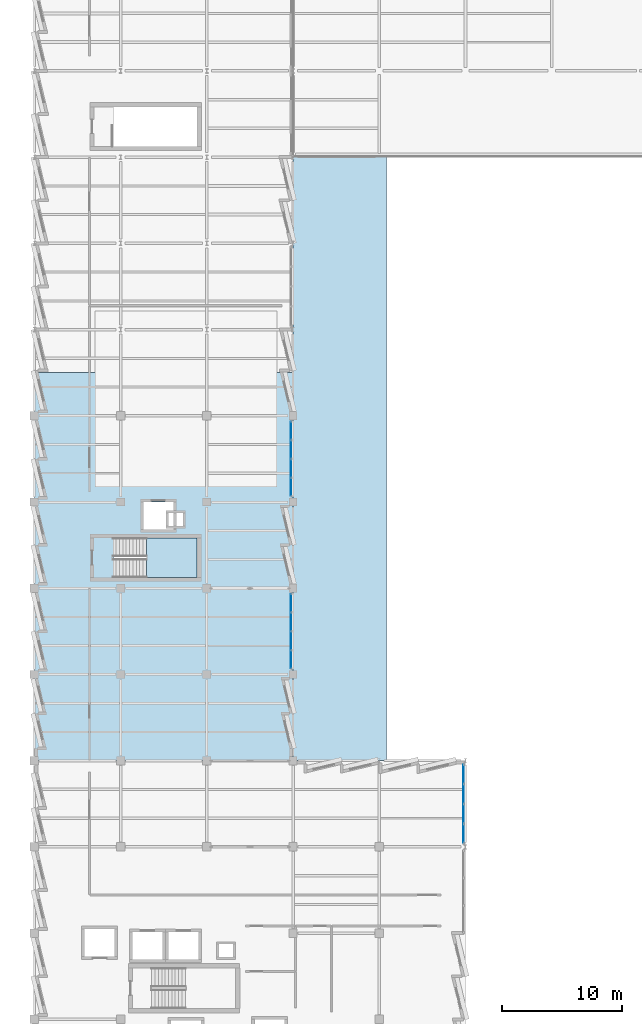
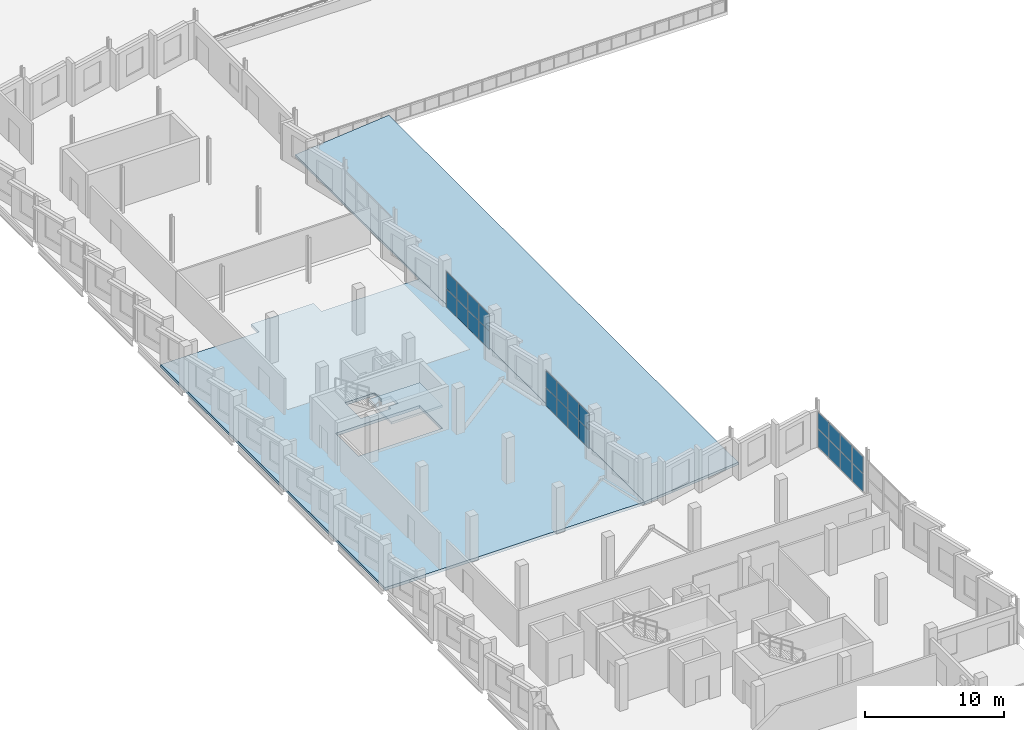
# One storey, part 23 of 38: 24 plates, 3 slabs, 4 elements without a shape of their own.
"""IFC4 building model written with IfcOpenShell, lengths in metres."""

from ifc_helpers import new_model, si_unit, direction, frame, origin, origin_2d, place, context, subcontext, project, spatial, polyline, rectangle, outline, extrude, material, layer, layer_set, type_object, element, aggregate, save


model = new_model("IFC4")

# Units and contexts
model_context = context("Model", 3, precision=1e-05, world=origin(), true_north=direction((0.0, 1.0)))
body_context = subcontext(model_context, "Body", "Model", "MODEL_VIEW")
ifc_project = project(units=[si_unit("LENGTHUNIT", "METRE"), si_unit("AREAUNIT", "SQUARE_METRE"), si_unit("VOLUMEUNIT", "CUBIC_METRE"), si_unit("PLANEANGLEUNIT", "RADIAN"), si_unit("MASSUNIT", "GRAM", prefix="KILO")], contexts=[model_context])

# Site, building, storey
site_placement = place(None, origin())
site = spatial("IfcSite", under=ifc_project, at=site_placement, CompositionType="ELEMENT")
building_placement = place(site_placement, origin())
building = spatial("IfcBuilding", under=site, at=building_placement, Name="Kalmorath City Hall", CompositionType="ELEMENT")
storey_placement = place(building_placement, frame((0.0, 0.0, 18.89990234375)))
storey = spatial("IfcBuildingStorey", under=building, at=storey_placement, Name="L04", CompositionType="ELEMENT", Elevation=18.89990234375)

# Slabs
ifc_material_1 = material(Name="Concrete C40/50", Category="concrete")
ifc_layer_1 = layer(ifc_material_1, 0.25)
ifc_layer_set_1 = layer_set([ifc_layer_1], Name="Concrete C40/50")
slab_type_1 = type_object("IfcSlabType", Name="Concrete municipal wing floor slab 250", PredefinedType="FLOOR", material=ifc_layer_set_1)
slab_1_placement = place(storey_placement, frame((0.0, 0.0, -0.25)))
element("IfcSlab", 1, at=slab_1_placement, inside=storey, type_object=slab_type_1, Name="L04 West Sawtooth Wing and Civic Storm Arcade slab FS5-1", PredefinedType="FLOOR", context=body_context, shape_type="SweptSolid", body=[
    extrude(outline(polyline([(8.199951171875, 68.39990234375), (8.199951171875, 69.550048828125), (13.39990234375, 69.550048828125), (13.39990234375, 68.39990234375), (21.60009765625, 68.39990234375), (21.60009765625, 36.0), (0.0, 36.0), (0.0, 68.39990234375), (8.199951171875, 68.39990234375)]), holes=[polyline([(13.60009765625, 54.60009765625), (6.590087890625, 54.60009765625), (6.590087890625, 51.300048828125), (13.60009765625, 51.300048828125), (13.60009765625, 54.60009765625)]), polyline([(11.60009765625, 55.300048828125), (11.60009765625, 55.60009765625), (12.39990234375, 55.60009765625), (12.39990234375, 56.679931640625), (11.60009765625, 56.679931640625), (11.60009765625, 57.60009765625), (9.10009765625, 57.60009765625), (9.10009765625, 55.300048828125), (11.60009765625, 55.300048828125)])]), origin(), (0.0, 0.0, 1.0), 0.25),
])
ifc_material_2 = material(Name="Concrete C40/50", Category="concrete")
ifc_layer_2 = layer(ifc_material_2, 0.219970703125)
ifc_layer_set_2 = layer_set([ifc_layer_2], Name="Concrete C40/50")
slab_type_2 = type_object("IfcSlabType", Name="Concrete sloped hurricane roof slab 220", PredefinedType="ROOF", material=ifc_layer_set_2)
slab_2_placement = place(storey_placement, frame((21.60009765625, 36.0, 0.0), z_axis=(-0.095714781392, 0.0, 0.995408800756), x_axis=(0.995408800756, 0.0, 0.095714781392)))
element("IfcSlab", 2, at=slab_2_placement, inside=storey, type_object=slab_type_2, Name="West Wing L04 courtyard eave roof", PredefinedType="ROOF", context=body_context, shape_type="SweptSolid", body=[
    extrude(outline(polyline([(0.0, 0.0), (7.835780316161689, 0.0), (7.835780316161689, 50.39990234375), (0.0, 50.39990234375), (0.0, 0.0)])), origin(), (0.0, 0.0, -1.0), 0.219970703125),
])

# Stair, slab
ifc_material_3 = material(Name="Concrete C40/50", Category="concrete")
stair_type = type_object("IfcStairType", Name="Dogleg concrete exit stair 22R x 184mm W1550", PredefinedType="HALF_TURN_STAIR", material=ifc_material_3)
stair_placement = place(storey_placement, origin())
stair = element("IfcStair", 3, at=stair_placement, inside=storey, type_object=stair_type, Name="L04 Protected exit stair ST-3", PredefinedType="HALF_TURN_STAIR")
ifc_material_4 = material(Name="Concrete C40/50", Category="concrete")
ifc_layer_3 = layer(ifc_material_4, 0.199951171875)
ifc_layer_set_3 = layer_set([ifc_layer_3], Name="Concrete C40/50")
slab_type_3 = type_object("IfcSlabType", Name="Concrete stair half-landing slab 200", PredefinedType="LANDING", material=ifc_layer_set_3)
slab_3_placement = place(storey_placement, frame((0.0, 0.0, 1.8251953125)))
slab_3 = element("IfcSlab", 4, at=slab_3_placement, type_object=slab_type_3, Name="ST-3 landing 1", PredefinedType="LANDING", context=body_context, shape_type="SweptSolid", body=[
    extrude(outline(polyline([(9.35009765625, 51.300048828125), (13.60009765625, 51.300048828125), (13.60009765625, 54.60009765625), (9.35009765625, 54.60009765625), (9.35009765625, 51.300048828125)])), origin(), (0.0, 0.0, 1.0), 0.199951171875),
])
aggregate(stair, [slab_3])

# Curtain wall, plates
ifc_material_5 = material(Name="Anodised aluminium and laminated glass", Category="aluminium")
curtain_wall_type_1 = type_object("IfcCurtainWallType", Name="Unitised hurricane curtain wall 6320x3216 M1750", PredefinedType="NOTDEFINED", material=ifc_material_5)
curtain_wall_1_placement = place(storey_placement, origin())
curtain_wall_1 = element("IfcCurtainWall", 5, at=curtain_wall_1_placement, inside=storey, type_object=curtain_wall_type_1, Name="L04 curtain wall CW-63X32M18 #166", PredefinedType="NOTDEFINED")
ifc_material_6 = material(Name="Hurricane laminated low-E glass", Category="glass")
ifc_layer_4 = layer(ifc_material_6, 0.028076171875)
ifc_layer_set_4 = layer_set([ifc_layer_4], Name="Hurricane laminated low-E glass")
plate_type_1 = type_object("IfcPlateType", Name="Courtyard solar-control glazed panel 28", PredefinedType="CURTAIN_PANEL", material=ifc_layer_set_4)
plate_1_placement = place(storey_placement, frame((21.43994140625, 63.5537109375, 0.06005859375), z_axis=(0.0, 0.0, 1.0), x_axis=(0.0, -1.0, 0.0)))
plate_1 = element("IfcPlate", 6, at=plate_1_placement, type_object=plate_type_1, Name="CW-63X32M18 panel 1.1", PredefinedType="CURTAIN_PANEL", context=body_context, shape_type="SweptSolid", body=[
    extrude(rectangle(XDim=1.482421875, YDim=0.028076171875, at=origin_2d()), origin(), (0.0, 0.0, 1.0), 1.58203125),
])
plate_2_placement = place(storey_placement, frame((21.43994140625, 63.5537109375, 1.7021484375), z_axis=(0.0, 0.0, 1.0), x_axis=(0.0, -1.0, 0.0)))
plate_2 = element("IfcPlate", 7, at=plate_2_placement, type_object=plate_type_1, Name="CW-63X32M18 panel 1.2", PredefinedType="CURTAIN_PANEL", context=body_context, shape_type="SweptSolid", body=[
    extrude(rectangle(XDim=1.482421875, YDim=0.028076171875, at=origin_2d()), origin(), (0.0, 0.0, 1.0), 1.4541015625),
])
plate_3_placement = place(storey_placement, frame((21.43994140625, 61.989990234375, 0.06005859375), z_axis=(0.0, 0.0, 1.0), x_axis=(0.0, -1.0, 0.0)))
plate_3 = element("IfcPlate", 8, at=plate_3_placement, type_object=plate_type_1, Name="CW-63X32M18 panel 2.1", PredefinedType="CURTAIN_PANEL", context=body_context, shape_type="SweptSolid", body=[
    extrude(rectangle(XDim=1.514892578125, YDim=0.028076171875, at=origin_2d()), origin(), (0.0, 0.0, 1.0), 1.58203125),
])
plate_4_placement = place(storey_placement, frame((21.43994140625, 61.989990234375, 1.7021484375), z_axis=(0.0, 0.0, 1.0), x_axis=(0.0, -1.0, 0.0)))
plate_4 = element("IfcPlate", 9, at=plate_4_placement, type_object=plate_type_1, Name="CW-63X32M18 panel 2.2", PredefinedType="CURTAIN_PANEL", context=body_context, shape_type="SweptSolid", body=[
    extrude(rectangle(XDim=1.514892578125, YDim=0.028076171875, at=origin_2d()), origin(), (0.0, 0.0, 1.0), 1.4541015625),
])
plate_5_placement = place(storey_placement, frame((21.43994140625, 60.409912109375, 0.06005859375), z_axis=(0.0, 0.0, 1.0), x_axis=(0.0, -1.0, 0.0)))
plate_5 = element("IfcPlate", 10, at=plate_5_placement, type_object=plate_type_1, Name="CW-63X32M18 panel 3.1", PredefinedType="CURTAIN_PANEL", context=body_context, shape_type="SweptSolid", body=[
    extrude(rectangle(XDim=1.514892578125, YDim=0.028076171875, at=origin_2d()), origin(), (0.0, 0.0, 1.0), 1.58203125),
])
plate_6_placement = place(storey_placement, frame((21.43994140625, 60.409912109375, 1.7021484375), z_axis=(0.0, 0.0, 1.0), x_axis=(0.0, -1.0, 0.0)))
plate_6 = element("IfcPlate", 11, at=plate_6_placement, type_object=plate_type_1, Name="CW-63X32M18 panel 3.2", PredefinedType="CURTAIN_PANEL", context=body_context, shape_type="SweptSolid", body=[
    extrude(rectangle(XDim=1.514892578125, YDim=0.028076171875, at=origin_2d()), origin(), (0.0, 0.0, 1.0), 1.4541015625),
])
plate_7_placement = place(storey_placement, frame((21.43994140625, 58.84619140625, 0.06005859375), z_axis=(0.0, 0.0, 1.0), x_axis=(0.0, -1.0, 0.0)))
plate_7 = element("IfcPlate", 12, at=plate_7_placement, type_object=plate_type_1, Name="CW-63X32M18 panel 4.1", PredefinedType="CURTAIN_PANEL", context=body_context, shape_type="SweptSolid", body=[
    extrude(rectangle(XDim=1.482421875, YDim=0.028076171875, at=origin_2d()), origin(), (0.0, 0.0, 1.0), 1.58203125),
])
plate_8_placement = place(storey_placement, frame((21.43994140625, 58.84619140625, 1.7021484375), z_axis=(0.0, 0.0, 1.0), x_axis=(0.0, -1.0, 0.0)))
plate_8 = element("IfcPlate", 13, at=plate_8_placement, type_object=plate_type_1, Name="CW-63X32M18 panel 4.2", PredefinedType="CURTAIN_PANEL", context=body_context, shape_type="SweptSolid", body=[
    extrude(rectangle(XDim=1.482421875, YDim=0.028076171875, at=origin_2d()), origin(), (0.0, 0.0, 1.0), 1.4541015625),
])
aggregate(curtain_wall_1, [plate_1, plate_2, plate_3, plate_4, plate_5, plate_6, plate_7, plate_8])

curtain_wall_2_placement = place(storey_placement, origin())
curtain_wall_2 = element("IfcCurtainWall", 14, at=curtain_wall_2_placement, inside=storey, type_object=curtain_wall_type_1, Name="L04 curtain wall CW-63X32M18 #167", PredefinedType="NOTDEFINED")
plate_9_placement = place(storey_placement, frame((21.43994140625, 49.15380859375, 0.06005859375), z_axis=(0.0, 0.0, 1.0), x_axis=(0.0, -1.0, 0.0)))
plate_9 = element("IfcPlate", 15, at=plate_9_placement, type_object=plate_type_1, Name="CW-63X32M18 panel 1.1", PredefinedType="CURTAIN_PANEL", context=body_context, shape_type="SweptSolid", body=[
    extrude(rectangle(XDim=1.482421875, YDim=0.028076171875, at=origin_2d()), origin(), (0.0, 0.0, 1.0), 1.58203125),
])
plate_10_placement = place(storey_placement, frame((21.43994140625, 49.15380859375, 1.7021484375), z_axis=(0.0, 0.0, 1.0), x_axis=(0.0, -1.0, 0.0)))
plate_10 = element("IfcPlate", 16, at=plate_10_placement, type_object=plate_type_1, Name="CW-63X32M18 panel 1.2", PredefinedType="CURTAIN_PANEL", context=body_context, shape_type="SweptSolid", body=[
    extrude(rectangle(XDim=1.482421875, YDim=0.028076171875, at=origin_2d()), origin(), (0.0, 0.0, 1.0), 1.4541015625),
])
plate_11_placement = place(storey_placement, frame((21.43994140625, 47.590087890625, 0.06005859375), z_axis=(0.0, 0.0, 1.0), x_axis=(0.0, -1.0, 0.0)))
plate_11 = element("IfcPlate", 17, at=plate_11_placement, type_object=plate_type_1, Name="CW-63X32M18 panel 2.1", PredefinedType="CURTAIN_PANEL", context=body_context, shape_type="SweptSolid", body=[
    extrude(rectangle(XDim=1.514892578125, YDim=0.028076171875, at=origin_2d()), origin(), (0.0, 0.0, 1.0), 1.58203125),
])
plate_12_placement = place(storey_placement, frame((21.43994140625, 47.590087890625, 1.7021484375), z_axis=(0.0, 0.0, 1.0), x_axis=(0.0, -1.0, 0.0)))
plate_12 = element("IfcPlate", 18, at=plate_12_placement, type_object=plate_type_1, Name="CW-63X32M18 panel 2.2", PredefinedType="CURTAIN_PANEL", context=body_context, shape_type="SweptSolid", body=[
    extrude(rectangle(XDim=1.514892578125, YDim=0.028076171875, at=origin_2d()), origin(), (0.0, 0.0, 1.0), 1.4541015625),
])
plate_13_placement = place(storey_placement, frame((21.43994140625, 46.010009765625, 0.06005859375), z_axis=(0.0, 0.0, 1.0), x_axis=(0.0, -1.0, 0.0)))
plate_13 = element("IfcPlate", 19, at=plate_13_placement, type_object=plate_type_1, Name="CW-63X32M18 panel 3.1", PredefinedType="CURTAIN_PANEL", context=body_context, shape_type="SweptSolid", body=[
    extrude(rectangle(XDim=1.514892578125, YDim=0.028076171875, at=origin_2d()), origin(), (0.0, 0.0, 1.0), 1.58203125),
])
plate_14_placement = place(storey_placement, frame((21.43994140625, 46.010009765625, 1.7021484375), z_axis=(0.0, 0.0, 1.0), x_axis=(0.0, -1.0, 0.0)))
plate_14 = element("IfcPlate", 20, at=plate_14_placement, type_object=plate_type_1, Name="CW-63X32M18 panel 3.2", PredefinedType="CURTAIN_PANEL", context=body_context, shape_type="SweptSolid", body=[
    extrude(rectangle(XDim=1.514892578125, YDim=0.028076171875, at=origin_2d()), origin(), (0.0, 0.0, 1.0), 1.4541015625),
])
plate_15_placement = place(storey_placement, frame((21.43994140625, 44.4462890625, 0.06005859375), z_axis=(0.0, 0.0, 1.0), x_axis=(0.0, -1.0, 0.0)))
plate_15 = element("IfcPlate", 21, at=plate_15_placement, type_object=plate_type_1, Name="CW-63X32M18 panel 4.1", PredefinedType="CURTAIN_PANEL", context=body_context, shape_type="SweptSolid", body=[
    extrude(rectangle(XDim=1.482421875, YDim=0.028076171875, at=origin_2d()), origin(), (0.0, 0.0, 1.0), 1.58203125),
])
plate_16_placement = place(storey_placement, frame((21.43994140625, 44.4462890625, 1.7021484375), z_axis=(0.0, 0.0, 1.0), x_axis=(0.0, -1.0, 0.0)))
plate_16 = element("IfcPlate", 22, at=plate_16_placement, type_object=plate_type_1, Name="CW-63X32M18 panel 4.2", PredefinedType="CURTAIN_PANEL", context=body_context, shape_type="SweptSolid", body=[
    extrude(rectangle(XDim=1.482421875, YDim=0.028076171875, at=origin_2d()), origin(), (0.0, 0.0, 1.0), 1.4541015625),
])
aggregate(curtain_wall_2, [plate_9, plate_10, plate_11, plate_12, plate_13, plate_14, plate_15, plate_16])

ifc_material_7 = material(Name="Anodised aluminium and laminated glass", Category="aluminium")
curtain_wall_type_2 = type_object("IfcCurtainWallType", Name="Unitised hurricane curtain wall 6670x3208 M1500", PredefinedType="NOTDEFINED", material=ifc_material_7)
curtain_wall_3_placement = place(storey_placement, origin())
curtain_wall_3 = element("IfcCurtainWall", 23, at=curtain_wall_3_placement, inside=storey, type_object=curtain_wall_type_2, Name="L04 curtain wall CW-67X32M15 #163", PredefinedType="NOTDEFINED")
ifc_material_8 = material(Name="Hurricane laminated low-E glass", Category="glass")
ifc_layer_5 = layer(ifc_material_8, 0.031982421875)
ifc_layer_set_5 = layer_set([ifc_layer_5], Name="Hurricane laminated low-E glass")
plate_type_2 = type_object("IfcPlateType", Name="Hurricane impact double-glazed panel 32", PredefinedType="CURTAIN_PANEL", material=ifc_layer_set_5)
plate_17_placement = place(storey_placement, frame((35.840087890625, 34.882568359375, 0.06494140625), z_axis=(0.0, 0.0, 1.0), x_axis=(0.0, -1.0, 0.0)))
plate_17 = element("IfcPlate", 24, at=plate_17_placement, type_object=plate_type_2, Name="CW-67X32M15 panel 1.1", PredefinedType="CURTAIN_PANEL", context=body_context, shape_type="SweptSolid", body=[
    extrude(rectangle(XDim=1.554931640625, YDim=0.031982421875, at=origin_2d()), origin(), (0.0, 0.0, 1.0), 1.570556640625),
])
plate_18_placement = place(storey_placement, frame((35.840087890625, 34.882568359375, 1.70068359375), z_axis=(0.0, 0.0, 1.0), x_axis=(0.0, -1.0, 0.0)))
plate_18 = element("IfcPlate", 25, at=plate_18_placement, type_object=plate_type_2, Name="CW-67X32M15 panel 1.2", PredefinedType="CURTAIN_PANEL", context=body_context, shape_type="SweptSolid", body=[
    extrude(rectangle(XDim=1.554931640625, YDim=0.031982421875, at=origin_2d()), origin(), (0.0, 0.0, 1.0), 1.4423828125),
])
plate_19_placement = place(storey_placement, frame((35.840087890625, 33.233642578125, 0.06494140625), z_axis=(0.0, 0.0, 1.0), x_axis=(0.0, -1.0, 0.0)))
plate_19 = element("IfcPlate", 26, at=plate_19_placement, type_object=plate_type_2, Name="CW-67X32M15 panel 2.1", PredefinedType="CURTAIN_PANEL", context=body_context, shape_type="SweptSolid", body=[
    extrude(rectangle(XDim=1.592529296875, YDim=0.031982421875, at=origin_2d()), origin(), (0.0, 0.0, 1.0), 1.570556640625),
])
plate_20_placement = place(storey_placement, frame((35.840087890625, 33.233642578125, 1.70068359375), z_axis=(0.0, 0.0, 1.0), x_axis=(0.0, -1.0, 0.0)))
plate_20 = element("IfcPlate", 27, at=plate_20_placement, type_object=plate_type_2, Name="CW-67X32M15 panel 2.2", PredefinedType="CURTAIN_PANEL", context=body_context, shape_type="SweptSolid", body=[
    extrude(rectangle(XDim=1.592529296875, YDim=0.031982421875, at=origin_2d()), origin(), (0.0, 0.0, 1.0), 1.4423828125),
])
plate_21_placement = place(storey_placement, frame((35.840087890625, 31.566162109375, 0.06494140625), z_axis=(0.0, 0.0, 1.0), x_axis=(0.0, -1.0, 0.0)))
plate_21 = element("IfcPlate", 28, at=plate_21_placement, type_object=plate_type_2, Name="CW-67X32M15 panel 3.1", PredefinedType="CURTAIN_PANEL", context=body_context, shape_type="SweptSolid", body=[
    extrude(rectangle(XDim=1.592529296875, YDim=0.031982421875, at=origin_2d()), origin(), (0.0, 0.0, 1.0), 1.570556640625),
])
plate_22_placement = place(storey_placement, frame((35.840087890625, 31.566162109375, 1.70068359375), z_axis=(0.0, 0.0, 1.0), x_axis=(0.0, -1.0, 0.0)))
plate_22 = element("IfcPlate", 29, at=plate_22_placement, type_object=plate_type_2, Name="CW-67X32M15 panel 3.2", PredefinedType="CURTAIN_PANEL", context=body_context, shape_type="SweptSolid", body=[
    extrude(rectangle(XDim=1.592529296875, YDim=0.031982421875, at=origin_2d()), origin(), (0.0, 0.0, 1.0), 1.4423828125),
])
plate_23_placement = place(storey_placement, frame((35.840087890625, 29.91748046875, 0.06494140625), z_axis=(0.0, 0.0, 1.0), x_axis=(0.0, -1.0, 0.0)))
plate_23 = element("IfcPlate", 30, at=plate_23_placement, type_object=plate_type_2, Name="CW-67X32M15 panel 4.1", PredefinedType="CURTAIN_PANEL", context=body_context, shape_type="SweptSolid", body=[
    extrude(rectangle(XDim=1.554931640625, YDim=0.031982421875, at=origin_2d()), origin(), (0.0, 0.0, 1.0), 1.570556640625),
])
plate_24_placement = place(storey_placement, frame((35.840087890625, 29.91748046875, 1.70068359375), z_axis=(0.0, 0.0, 1.0), x_axis=(0.0, -1.0, 0.0)))
plate_24 = element("IfcPlate", 31, at=plate_24_placement, type_object=plate_type_2, Name="CW-67X32M15 panel 4.2", PredefinedType="CURTAIN_PANEL", context=body_context, shape_type="SweptSolid", body=[
    extrude(rectangle(XDim=1.554931640625, YDim=0.031982421875, at=origin_2d()), origin(), (0.0, 0.0, 1.0), 1.4423828125),
])
aggregate(curtain_wall_3, [plate_17, plate_18, plate_19, plate_20, plate_21, plate_22, plate_23, plate_24])

save(model, "model.ifc")
